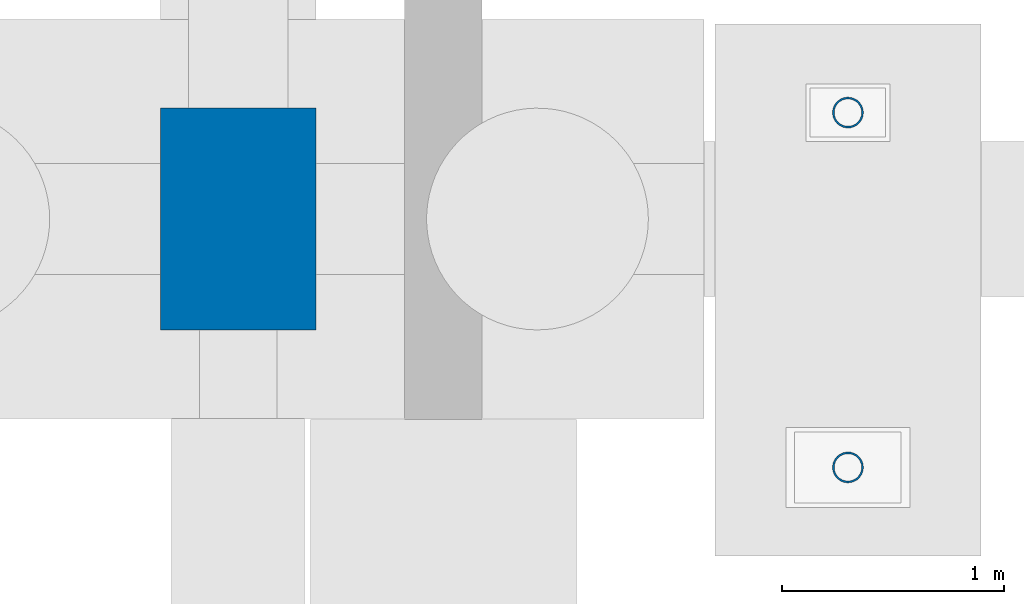
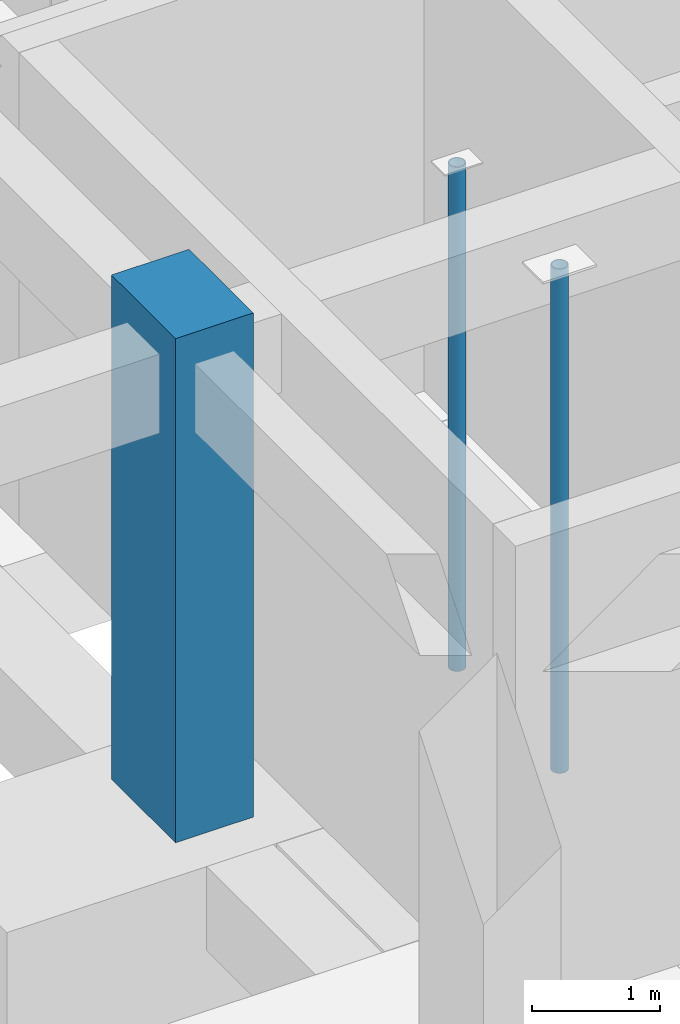
# One storey, part 12 of 49: 3 columns.
"""IFC4 building model written with IfcOpenShell, lengths in metres."""

from ifc_helpers import new_model, si_unit, direction, frame, origin, origin_2d, place, context, subcontext, project, spatial, rectangle, hollow_circle, extrude, material, material_profile, profile_set, type_object, element, save


model = new_model("IFC4")

# Units and contexts
model_context = context("Model", 3, precision=1e-05, world=origin(), true_north=direction((0.0, 1.0)))
body_context = subcontext(model_context, "Body", "Model", "MODEL_VIEW")
ifc_project = project(units=[si_unit("LENGTHUNIT", "METRE"), si_unit("AREAUNIT", "SQUARE_METRE"), si_unit("VOLUMEUNIT", "CUBIC_METRE"), si_unit("PLANEANGLEUNIT", "RADIAN"), si_unit("MASSUNIT", "GRAM", prefix="KILO")], contexts=[model_context])

# Site, building, storey
site_placement = place(None, origin())
site = spatial("IfcSite", under=ifc_project, at=site_placement, CompositionType="ELEMENT")
building_placement = place(site_placement, origin())
building = spatial("IfcBuilding", under=site, at=building_placement, Name="Krzemoval Escarpment Law Courts", CompositionType="ELEMENT")
storey_placement = place(building_placement, frame((0.0, 0.0, -4.800048828125)))
storey = spatial("IfcBuildingStorey", under=building, at=storey_placement, Name="B1", CompositionType="ELEMENT", Elevation=-4.800048828125)

# Columns
ifc_material_1 = material(Name="Concrete C50/60", Category="concrete")
ifc_material_profile_1 = material_profile(ifc_material_1, rectangle(XDim=0.699951171875, YDim=1.0, at=origin_2d()), Name="RC 700x1000")
ifc_profile_set_1 = profile_set([ifc_material_profile_1], Name="Concrete C50/60")
column_type_1 = type_object("IfcColumnType", Name="COL-RC-700x1000", PredefinedType="COLUMN", material=ifc_profile_set_1)
column_placement = place(storey_placement, frame((58.800048828125, 27.0, 0.0), z_axis=(0.0, 0.0, 1.0), x_axis=(1.0, 0.0, 0.0)))
element("IfcColumn", 1, at=column_placement, inside=storey, type_object=column_type_1, Name="Column FC-B1-0106", PredefinedType="COLUMN", context=body_context, shape_type="SweptSolid", body=[
    extrude(rectangle(XDim=0.699951171875, YDim=1.0, at=origin_2d()), origin(), (0.0, 0.0, 1.0), 4.800048828125),
])
ifc_material_2 = material(Name="Steel S355", Category="steel")
ifc_material_profile_2 = material_profile(ifc_material_2, hollow_circle(Radius=0.06982421875, WallThickness=0.008056640625, at=origin_2d()), Name="CHS 139.7x8")
ifc_profile_set_2 = profile_set([ifc_material_profile_2], Name="Steel S355")
column_type_2 = type_object("IfcColumnType", Name="COL-S355-CHS140", PredefinedType="COLUMN", material=ifc_profile_set_2)
for number, where, z_axis, x_axis, name in (
    (2, (61.550048828125, 25.8798828125, 0.0), (0.0, 0.0, 1.0), (1.0, 0.0, 0.0), "Stair Well Post SCP-C4-B1-1"),
    (3, (61.550048828125, 27.47998046875, 0.0), (0.0, 0.0, 1.0), (1.0, 0.0, 0.0), "Stair Well Post SCP-C4-B1-2"),
):
    element("IfcColumn", number, at=place(storey_placement, frame(where, z_axis=z_axis, x_axis=x_axis)), inside=storey, type_object=column_type_2, Name=name, PredefinedType="COLUMN", context=body_context, shape_type="SweptSolid", body=[
        extrude(hollow_circle(Radius=0.06982421875, WallThickness=0.008056640625, at=origin_2d()), origin(), (0.0, 0.0, 1.0), 4.800048828125),
    ])

save(model, "model.ifc")
